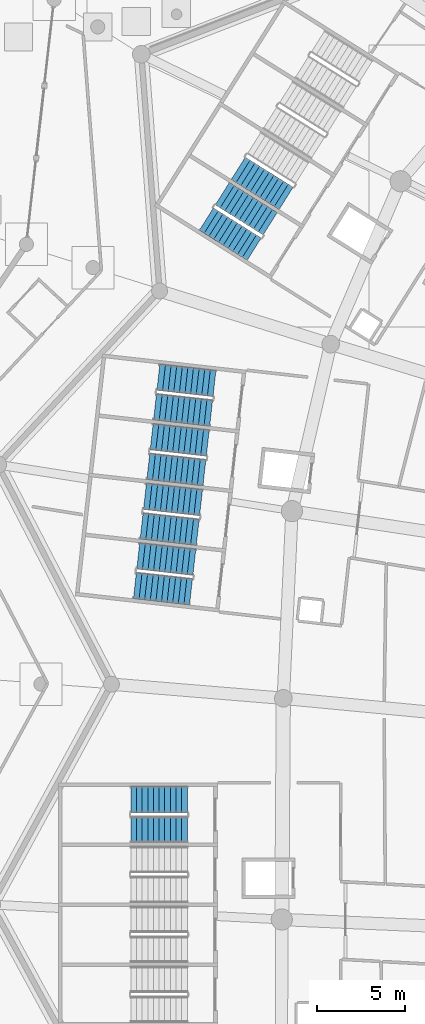
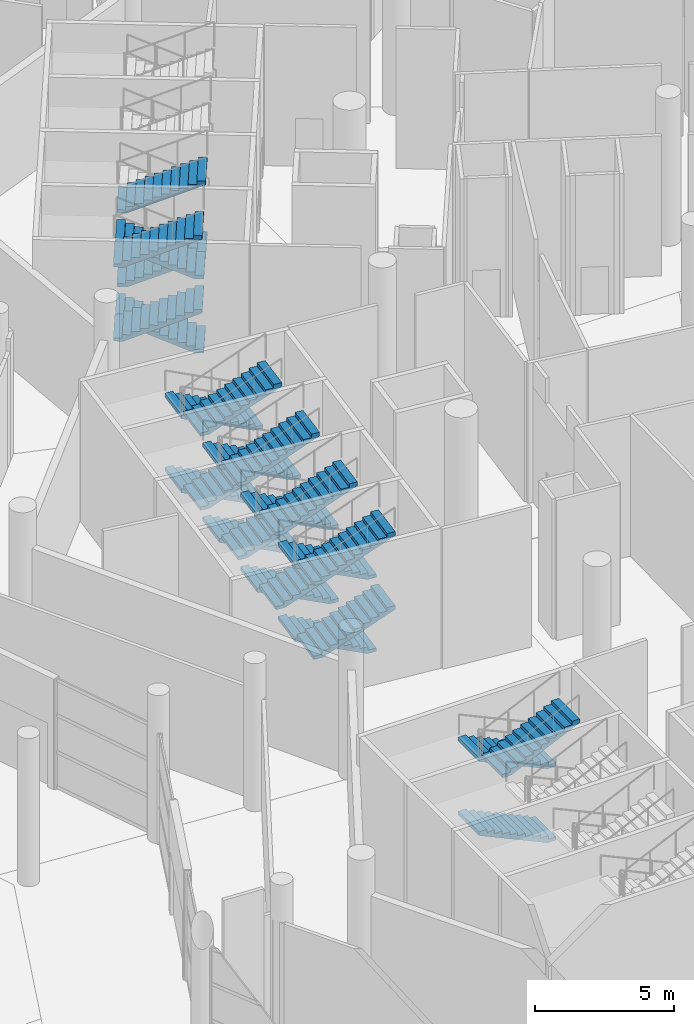
# One storey, part 172 of 255: 25 stair flights, 7 elements without a shape of their own.
"""IFC4 building model written with IfcOpenShell, lengths in metres."""

from ifc_helpers import new_model, si_unit, direction, frame, origin, place, context, subcontext, project, spatial, polyline, outline, extrude, material, type_object, element, aggregate, save


model = new_model("IFC4")

# Units and contexts
model_context = context("Model", 3, precision=1e-05, world=origin(), true_north=direction((0.0, 1.0)))
body_context = subcontext(model_context, "Body", "Model", "MODEL_VIEW")
ifc_project = project(units=[si_unit("LENGTHUNIT", "METRE"), si_unit("AREAUNIT", "SQUARE_METRE"), si_unit("VOLUMEUNIT", "CUBIC_METRE"), si_unit("PLANEANGLEUNIT", "RADIAN"), si_unit("MASSUNIT", "GRAM", prefix="KILO")], contexts=[model_context])

# Site, building, storey
site_placement = place(None, origin())
site = spatial("IfcSite", under=ifc_project, at=site_placement, CompositionType="ELEMENT")
building_placement = place(site_placement, origin())
building = spatial("IfcBuilding", under=site, at=building_placement, Name="Meseta Stadium", CompositionType="ELEMENT")
storey_placement = place(building_placement, origin())
storey = spatial("IfcBuildingStorey", under=building, at=storey_placement, Name="L00", CompositionType="ELEMENT", Elevation=0.0)

# Stair, stair flights
ifc_material_1 = material(Name="Concrete C40/50", Category="concrete")
stair_type = type_object("IfcStairType", Name="Exit stair 4 flights 148 mm risers", PredefinedType="HALF_TURN_STAIR", material=ifc_material_1)
stair_1_placement = place(storey_placement, origin())
stair_1 = element("IfcStair", 1, at=stair_1_placement, inside=storey, type_object=stair_type, Name="ST55 L00", PredefinedType="HALF_TURN_STAIR")
ifc_material_2 = material(Name="Concrete C40/50", Category="concrete")
stair_flight_type = type_object("IfcStairFlightType", Name="Exit stair flight 148 mm risers, 4 per storey", PredefinedType="STRAIGHT", material=ifc_material_2)
stair_flight_1_placement = place(storey_placement, frame((-87.40673828125, 73.005859375, 1.625), z_axis=(0.0, 0.0, 1.0), x_axis=(0.846724200555, -0.532032074404, 0.0)))
stair_flight_1 = element("IfcStairFlight", 2, at=stair_flight_1_placement, type_object=stair_flight_type, Name="ST55 L00 flight 2", NumberOfRisers=11, NumberOfTreads=10, PredefinedType="STRAIGHT", RiserHeight=0.147727273, TreadLength=0.32, context=body_context, shape_type="SweptSolid", body=[
    extrude(outline(polyline([(0.0, 0.0), (0.0, 0.147705078125), (0.320068359375, 0.147705078125), (0.320068359375, 0.29541015625), (0.639892578125, 0.29541015625), (0.639892578125, 0.443115234375), (0.9599609375, 0.443115234375), (0.9599609375, 0.5908203125), (1.280029296875, 0.5908203125), (1.280029296875, 0.738525390625), (1.60009765625, 0.738525390625), (1.60009765625, 0.886474609375), (1.919921875, 0.886474609375), (1.919921875, 1.0341796875), (2.239990234375, 1.0341796875), (2.239990234375, 1.181884765625), (2.56005859375, 1.181884765625), (2.56005859375, 1.32958984375), (2.8798828125, 1.32958984375), (2.8798828125, 1.477294921875), (3.199951171875, 1.477294921875), (3.199951171875, 1.312255859375), (0.357666015625, 0.0), (0.0, 0.0)])), frame((0.0, 0.75, 0.0), z_axis=(0.0, -1.0, 0.0), x_axis=(1.0, 0.0, 0.0)), (0.0, 0.0, 1.0), 1.5),
])
stair_flight_2_placement = place(storey_placement, frame((-87.40673828125, 73.005859375, 4.875), z_axis=(0.0, 0.0, 1.0), x_axis=(0.846724200555, -0.532032074404, 0.0)))
stair_flight_2 = element("IfcStairFlight", 3, at=stair_flight_2_placement, type_object=stair_flight_type, Name="ST55 L00 flight 4", NumberOfRisers=11, NumberOfTreads=10, PredefinedType="STRAIGHT", RiserHeight=0.147727273, TreadLength=0.32, context=body_context, shape_type="SweptSolid", body=[
    extrude(outline(polyline([(0.0, 0.0), (0.0, 0.147705078125), (0.320068359375, 0.147705078125), (0.320068359375, 0.29541015625), (0.639892578125, 0.29541015625), (0.639892578125, 0.443115234375), (0.9599609375, 0.443115234375), (0.9599609375, 0.5908203125), (1.280029296875, 0.5908203125), (1.280029296875, 0.738525390625), (1.60009765625, 0.738525390625), (1.60009765625, 0.886474609375), (1.919921875, 0.886474609375), (1.919921875, 1.0341796875), (2.239990234375, 1.0341796875), (2.239990234375, 1.181884765625), (2.56005859375, 1.181884765625), (2.56005859375, 1.32958984375), (2.8798828125, 1.32958984375), (2.8798828125, 1.477294921875), (3.199951171875, 1.477294921875), (3.199951171875, 1.312255859375), (0.357666015625, 0.0), (0.0, 0.0)])), frame((0.0, 0.75, 0.0), z_axis=(0.0, -1.0, 0.0), x_axis=(1.0, 0.0, 0.0)), (0.0, 0.0, 1.0), 1.5),
])
aggregate(stair_1, [stair_flight_1, stair_flight_2])

stair_2_placement = place(storey_placement, origin())
stair_2 = element("IfcStair", 4, at=stair_2_placement, inside=storey, type_object=stair_type, Name="ST56 L00", PredefinedType="HALF_TURN_STAIR")
stair_flight_3_placement = place(storey_placement, frame((-85.6015625, 69.864013671875, 0.0), z_axis=(0.0, 0.0, 1.0), x_axis=(-0.846724200555, 0.532032074404, 0.0)))
stair_flight_3 = element("IfcStairFlight", 5, at=stair_flight_3_placement, type_object=stair_flight_type, Name="ST56 L00 flight 1", NumberOfRisers=11, NumberOfTreads=10, PredefinedType="STRAIGHT", RiserHeight=0.147727273, TreadLength=0.32, context=body_context, shape_type="SweptSolid", body=[
    extrude(outline(polyline([(0.0, 0.0), (0.0, 0.147705078125), (0.320068359375, 0.147705078125), (0.320068359375, 0.29541015625), (0.639892578125, 0.29541015625), (0.639892578125, 0.443115234375), (0.9599609375, 0.443115234375), (0.9599609375, 0.5908203125), (1.280029296875, 0.5908203125), (1.280029296875, 0.738525390625), (1.60009765625, 0.738525390625), (1.60009765625, 0.886474609375), (1.919921875, 0.886474609375), (1.919921875, 1.0341796875), (2.239990234375, 1.0341796875), (2.239990234375, 1.181884765625), (2.56005859375, 1.181884765625), (2.56005859375, 1.32958984375), (2.8798828125, 1.32958984375), (2.8798828125, 1.477294921875), (3.199951171875, 1.477294921875), (3.199951171875, 1.312255859375), (0.357666015625, 0.0), (0.0, 0.0)])), frame((0.0, 0.75, 0.0), z_axis=(0.0, -1.0, 0.0), x_axis=(1.0, 0.0, 0.0)), (0.0, 0.0, 1.0), 1.5),
])
stair_flight_4_placement = place(storey_placement, frame((-89.215576171875, 70.127197265625, 1.625), z_axis=(0.0, 0.0, 1.0), x_axis=(0.846724200555, -0.532032074404, 0.0)))
stair_flight_4 = element("IfcStairFlight", 6, at=stair_flight_4_placement, type_object=stair_flight_type, Name="ST56 L00 flight 2", NumberOfRisers=11, NumberOfTreads=10, PredefinedType="STRAIGHT", RiserHeight=0.147727273, TreadLength=0.32, context=body_context, shape_type="SweptSolid", body=[
    extrude(outline(polyline([(0.0, 0.0), (0.0, 0.147705078125), (0.320068359375, 0.147705078125), (0.320068359375, 0.29541015625), (0.639892578125, 0.29541015625), (0.639892578125, 0.443115234375), (0.9599609375, 0.443115234375), (0.9599609375, 0.5908203125), (1.280029296875, 0.5908203125), (1.280029296875, 0.738525390625), (1.60009765625, 0.738525390625), (1.60009765625, 0.886474609375), (1.919921875, 0.886474609375), (1.919921875, 1.0341796875), (2.239990234375, 1.0341796875), (2.239990234375, 1.181884765625), (2.56005859375, 1.181884765625), (2.56005859375, 1.32958984375), (2.8798828125, 1.32958984375), (2.8798828125, 1.477294921875), (3.199951171875, 1.477294921875), (3.199951171875, 1.312255859375), (0.357666015625, 0.0), (0.0, 0.0)])), frame((0.0, 0.75, 0.0), z_axis=(0.0, -1.0, 0.0), x_axis=(1.0, 0.0, 0.0)), (0.0, 0.0, 1.0), 1.5),
])
stair_flight_5_placement = place(storey_placement, frame((-85.6015625, 69.864013671875, 3.25), z_axis=(0.0, 0.0, 1.0), x_axis=(-0.846724200555, 0.532032074404, 0.0)))
stair_flight_5 = element("IfcStairFlight", 7, at=stair_flight_5_placement, type_object=stair_flight_type, Name="ST56 L00 flight 3", NumberOfRisers=11, NumberOfTreads=10, PredefinedType="STRAIGHT", RiserHeight=0.147727273, TreadLength=0.32, context=body_context, shape_type="SweptSolid", body=[
    extrude(outline(polyline([(0.0, 0.0), (0.0, 0.147705078125), (0.320068359375, 0.147705078125), (0.320068359375, 0.29541015625), (0.639892578125, 0.29541015625), (0.639892578125, 0.443115234375), (0.9599609375, 0.443115234375), (0.9599609375, 0.5908203125), (1.280029296875, 0.5908203125), (1.280029296875, 0.738525390625), (1.60009765625, 0.738525390625), (1.60009765625, 0.886474609375), (1.919921875, 0.886474609375), (1.919921875, 1.0341796875), (2.239990234375, 1.0341796875), (2.239990234375, 1.181884765625), (2.56005859375, 1.181884765625), (2.56005859375, 1.32958984375), (2.8798828125, 1.32958984375), (2.8798828125, 1.477294921875), (3.199951171875, 1.477294921875), (3.199951171875, 1.312255859375), (0.357666015625, 0.0), (0.0, 0.0)])), frame((0.0, 0.75, 0.0), z_axis=(0.0, -1.0, 0.0), x_axis=(1.0, 0.0, 0.0)), (0.0, 0.0, 1.0), 1.5),
])
stair_flight_6_placement = place(storey_placement, frame((-89.215576171875, 70.127197265625, 4.875), z_axis=(0.0, 0.0, 1.0), x_axis=(0.846724200555, -0.532032074404, 0.0)))
stair_flight_6 = element("IfcStairFlight", 8, at=stair_flight_6_placement, type_object=stair_flight_type, Name="ST56 L00 flight 4", NumberOfRisers=11, NumberOfTreads=10, PredefinedType="STRAIGHT", RiserHeight=0.147727273, TreadLength=0.32, context=body_context, shape_type="SweptSolid", body=[
    extrude(outline(polyline([(0.0, 0.0), (0.0, 0.147705078125), (0.320068359375, 0.147705078125), (0.320068359375, 0.29541015625), (0.639892578125, 0.29541015625), (0.639892578125, 0.443115234375), (0.9599609375, 0.443115234375), (0.9599609375, 0.5908203125), (1.280029296875, 0.5908203125), (1.280029296875, 0.738525390625), (1.60009765625, 0.738525390625), (1.60009765625, 0.886474609375), (1.919921875, 0.886474609375), (1.919921875, 1.0341796875), (2.239990234375, 1.0341796875), (2.239990234375, 1.181884765625), (2.56005859375, 1.181884765625), (2.56005859375, 1.32958984375), (2.8798828125, 1.32958984375), (2.8798828125, 1.477294921875), (3.199951171875, 1.477294921875), (3.199951171875, 1.312255859375), (0.357666015625, 0.0), (0.0, 0.0)])), frame((0.0, 0.75, 0.0), z_axis=(0.0, -1.0, 0.0), x_axis=(1.0, 0.0, 0.0)), (0.0, 0.0, 1.0), 1.5),
])
aggregate(stair_2, [stair_flight_3, stair_flight_4, stair_flight_5, stair_flight_6])

stair_3_placement = place(storey_placement, origin())
stair_3 = element("IfcStair", 9, at=stair_3_placement, inside=storey, type_object=stair_type, Name="ST57 L00", PredefinedType="HALF_TURN_STAIR")
stair_flight_7_placement = place(storey_placement, frame((-88.759033203125, 60.805419921875, 0.0), z_axis=(0.0, 0.0, 1.0), x_axis=(-0.993712210731, 0.11196446867, 0.0)))
stair_flight_7 = element("IfcStairFlight", 10, at=stair_flight_7_placement, type_object=stair_flight_type, Name="ST57 L00 flight 1", NumberOfRisers=11, NumberOfTreads=10, PredefinedType="STRAIGHT", RiserHeight=0.147727273, TreadLength=0.32, context=body_context, shape_type="SweptSolid", body=[
    extrude(outline(polyline([(0.0, 0.0), (0.0, 0.147705078125), (0.320068359375, 0.147705078125), (0.320068359375, 0.29541015625), (0.639892578125, 0.29541015625), (0.639892578125, 0.443115234375), (0.9599609375, 0.443115234375), (0.9599609375, 0.5908203125), (1.280029296875, 0.5908203125), (1.280029296875, 0.738525390625), (1.60009765625, 0.738525390625), (1.60009765625, 0.886474609375), (1.919921875, 0.886474609375), (1.919921875, 1.0341796875), (2.239990234375, 1.0341796875), (2.239990234375, 1.181884765625), (2.56005859375, 1.181884765625), (2.56005859375, 1.32958984375), (2.8798828125, 1.32958984375), (2.8798828125, 1.477294921875), (3.199951171875, 1.477294921875), (3.199951171875, 1.312255859375), (0.357666015625, 0.0), (0.0, 0.0)])), frame((0.0, 0.75, 0.0), z_axis=(0.0, -1.0, 0.0), x_axis=(1.0, 0.0, 0.0)), (0.0, 0.0, 1.0), 1.5),
])
stair_flight_8_placement = place(storey_placement, frame((-92.129150390625, 59.474365234375, 1.625), z_axis=(0.0, 0.0, 1.0), x_axis=(0.993712210731, -0.11196446867, 0.0)))
stair_flight_8 = element("IfcStairFlight", 11, at=stair_flight_8_placement, type_object=stair_flight_type, Name="ST57 L00 flight 2", NumberOfRisers=11, NumberOfTreads=10, PredefinedType="STRAIGHT", RiserHeight=0.147727273, TreadLength=0.32, context=body_context, shape_type="SweptSolid", body=[
    extrude(outline(polyline([(0.0, 0.0), (0.0, 0.147705078125), (0.320068359375, 0.147705078125), (0.320068359375, 0.29541015625), (0.639892578125, 0.29541015625), (0.639892578125, 0.443115234375), (0.9599609375, 0.443115234375), (0.9599609375, 0.5908203125), (1.280029296875, 0.5908203125), (1.280029296875, 0.738525390625), (1.60009765625, 0.738525390625), (1.60009765625, 0.886474609375), (1.919921875, 0.886474609375), (1.919921875, 1.0341796875), (2.239990234375, 1.0341796875), (2.239990234375, 1.181884765625), (2.56005859375, 1.181884765625), (2.56005859375, 1.32958984375), (2.8798828125, 1.32958984375), (2.8798828125, 1.477294921875), (3.199951171875, 1.477294921875), (3.199951171875, 1.312255859375), (0.357666015625, 0.0), (0.0, 0.0)])), frame((0.0, 0.75, 0.0), z_axis=(0.0, -1.0, 0.0), x_axis=(1.0, 0.0, 0.0)), (0.0, 0.0, 1.0), 1.5),
])
stair_flight_9_placement = place(storey_placement, frame((-88.759033203125, 60.805419921875, 3.25), z_axis=(0.0, 0.0, 1.0), x_axis=(-0.993712210731, 0.11196446867, 0.0)))
stair_flight_9 = element("IfcStairFlight", 12, at=stair_flight_9_placement, type_object=stair_flight_type, Name="ST57 L00 flight 3", NumberOfRisers=11, NumberOfTreads=10, PredefinedType="STRAIGHT", RiserHeight=0.147727273, TreadLength=0.32, context=body_context, shape_type="SweptSolid", body=[
    extrude(outline(polyline([(0.0, 0.0), (0.0, 0.147705078125), (0.320068359375, 0.147705078125), (0.320068359375, 0.29541015625), (0.639892578125, 0.29541015625), (0.639892578125, 0.443115234375), (0.9599609375, 0.443115234375), (0.9599609375, 0.5908203125), (1.280029296875, 0.5908203125), (1.280029296875, 0.738525390625), (1.60009765625, 0.738525390625), (1.60009765625, 0.886474609375), (1.919921875, 0.886474609375), (1.919921875, 1.0341796875), (2.239990234375, 1.0341796875), (2.239990234375, 1.181884765625), (2.56005859375, 1.181884765625), (2.56005859375, 1.32958984375), (2.8798828125, 1.32958984375), (2.8798828125, 1.477294921875), (3.199951171875, 1.477294921875), (3.199951171875, 1.312255859375), (0.357666015625, 0.0), (0.0, 0.0)])), frame((0.0, 0.75, 0.0), z_axis=(0.0, -1.0, 0.0), x_axis=(1.0, 0.0, 0.0)), (0.0, 0.0, 1.0), 1.5),
])
stair_flight_10_placement = place(storey_placement, frame((-92.129150390625, 59.474365234375, 4.875), z_axis=(0.0, 0.0, 1.0), x_axis=(0.993712210731, -0.11196446867, 0.0)))
stair_flight_10 = element("IfcStairFlight", 13, at=stair_flight_10_placement, type_object=stair_flight_type, Name="ST57 L00 flight 4", NumberOfRisers=11, NumberOfTreads=10, PredefinedType="STRAIGHT", RiserHeight=0.147727273, TreadLength=0.32, context=body_context, shape_type="SweptSolid", body=[
    extrude(outline(polyline([(0.0, 0.0), (0.0, 0.147705078125), (0.320068359375, 0.147705078125), (0.320068359375, 0.29541015625), (0.639892578125, 0.29541015625), (0.639892578125, 0.443115234375), (0.9599609375, 0.443115234375), (0.9599609375, 0.5908203125), (1.280029296875, 0.5908203125), (1.280029296875, 0.738525390625), (1.60009765625, 0.738525390625), (1.60009765625, 0.886474609375), (1.919921875, 0.886474609375), (1.919921875, 1.0341796875), (2.239990234375, 1.0341796875), (2.239990234375, 1.181884765625), (2.56005859375, 1.181884765625), (2.56005859375, 1.32958984375), (2.8798828125, 1.32958984375), (2.8798828125, 1.477294921875), (3.199951171875, 1.477294921875), (3.199951171875, 1.312255859375), (0.357666015625, 0.0), (0.0, 0.0)])), frame((0.0, 0.75, 0.0), z_axis=(0.0, -1.0, 0.0), x_axis=(1.0, 0.0, 0.0)), (0.0, 0.0, 1.0), 1.5),
])
aggregate(stair_3, [stair_flight_7, stair_flight_8, stair_flight_9, stair_flight_10])

stair_4_placement = place(storey_placement, origin())
stair_4 = element("IfcStair", 14, at=stair_4_placement, inside=storey, type_object=stair_type, Name="ST58 L00", PredefinedType="HALF_TURN_STAIR")
stair_flight_11_placement = place(storey_placement, frame((-89.1396484375, 57.4267578125, 0.0), z_axis=(0.0, 0.0, 1.0), x_axis=(-0.993712210731, 0.11196446867, 0.0)))
stair_flight_11 = element("IfcStairFlight", 15, at=stair_flight_11_placement, type_object=stair_flight_type, Name="ST58 L00 flight 1", NumberOfRisers=11, NumberOfTreads=10, PredefinedType="STRAIGHT", RiserHeight=0.147727273, TreadLength=0.32, context=body_context, shape_type="SweptSolid", body=[
    extrude(outline(polyline([(0.0, 0.0), (0.0, 0.147705078125), (0.320068359375, 0.147705078125), (0.320068359375, 0.29541015625), (0.639892578125, 0.29541015625), (0.639892578125, 0.443115234375), (0.9599609375, 0.443115234375), (0.9599609375, 0.5908203125), (1.280029296875, 0.5908203125), (1.280029296875, 0.738525390625), (1.60009765625, 0.738525390625), (1.60009765625, 0.886474609375), (1.919921875, 0.886474609375), (1.919921875, 1.0341796875), (2.239990234375, 1.0341796875), (2.239990234375, 1.181884765625), (2.56005859375, 1.181884765625), (2.56005859375, 1.32958984375), (2.8798828125, 1.32958984375), (2.8798828125, 1.477294921875), (3.199951171875, 1.477294921875), (3.199951171875, 1.312255859375), (0.357666015625, 0.0), (0.0, 0.0)])), frame((0.0, 0.75, 0.0), z_axis=(0.0, -1.0, 0.0), x_axis=(1.0, 0.0, 0.0)), (0.0, 0.0, 1.0), 1.5),
])
stair_flight_12_placement = place(storey_placement, frame((-92.510009765625, 56.095703125, 1.625), z_axis=(0.0, 0.0, 1.0), x_axis=(0.993712210731, -0.11196446867, 0.0)))
stair_flight_12 = element("IfcStairFlight", 16, at=stair_flight_12_placement, type_object=stair_flight_type, Name="ST58 L00 flight 2", NumberOfRisers=11, NumberOfTreads=10, PredefinedType="STRAIGHT", RiserHeight=0.147727273, TreadLength=0.32, context=body_context, shape_type="SweptSolid", body=[
    extrude(outline(polyline([(0.0, 0.0), (0.0, 0.147705078125), (0.320068359375, 0.147705078125), (0.320068359375, 0.29541015625), (0.639892578125, 0.29541015625), (0.639892578125, 0.443115234375), (0.9599609375, 0.443115234375), (0.9599609375, 0.5908203125), (1.280029296875, 0.5908203125), (1.280029296875, 0.738525390625), (1.60009765625, 0.738525390625), (1.60009765625, 0.886474609375), (1.919921875, 0.886474609375), (1.919921875, 1.0341796875), (2.239990234375, 1.0341796875), (2.239990234375, 1.181884765625), (2.56005859375, 1.181884765625), (2.56005859375, 1.32958984375), (2.8798828125, 1.32958984375), (2.8798828125, 1.477294921875), (3.199951171875, 1.477294921875), (3.199951171875, 1.312255859375), (0.357666015625, 0.0), (0.0, 0.0)])), frame((0.0, 0.75, 0.0), z_axis=(0.0, -1.0, 0.0), x_axis=(1.0, 0.0, 0.0)), (0.0, 0.0, 1.0), 1.5),
])
stair_flight_13_placement = place(storey_placement, frame((-89.1396484375, 57.4267578125, 3.25), z_axis=(0.0, 0.0, 1.0), x_axis=(-0.993712210731, 0.11196446867, 0.0)))
stair_flight_13 = element("IfcStairFlight", 17, at=stair_flight_13_placement, type_object=stair_flight_type, Name="ST58 L00 flight 3", NumberOfRisers=11, NumberOfTreads=10, PredefinedType="STRAIGHT", RiserHeight=0.147727273, TreadLength=0.32, context=body_context, shape_type="SweptSolid", body=[
    extrude(outline(polyline([(0.0, 0.0), (0.0, 0.147705078125), (0.320068359375, 0.147705078125), (0.320068359375, 0.29541015625), (0.639892578125, 0.29541015625), (0.639892578125, 0.443115234375), (0.9599609375, 0.443115234375), (0.9599609375, 0.5908203125), (1.280029296875, 0.5908203125), (1.280029296875, 0.738525390625), (1.60009765625, 0.738525390625), (1.60009765625, 0.886474609375), (1.919921875, 0.886474609375), (1.919921875, 1.0341796875), (2.239990234375, 1.0341796875), (2.239990234375, 1.181884765625), (2.56005859375, 1.181884765625), (2.56005859375, 1.32958984375), (2.8798828125, 1.32958984375), (2.8798828125, 1.477294921875), (3.199951171875, 1.477294921875), (3.199951171875, 1.312255859375), (0.357666015625, 0.0), (0.0, 0.0)])), frame((0.0, 0.75, 0.0), z_axis=(0.0, -1.0, 0.0), x_axis=(1.0, 0.0, 0.0)), (0.0, 0.0, 1.0), 1.5),
])
stair_flight_14_placement = place(storey_placement, frame((-92.510009765625, 56.095703125, 4.875), z_axis=(0.0, 0.0, 1.0), x_axis=(0.993712210731, -0.11196446867, 0.0)))
stair_flight_14 = element("IfcStairFlight", 18, at=stair_flight_14_placement, type_object=stair_flight_type, Name="ST58 L00 flight 4", NumberOfRisers=11, NumberOfTreads=10, PredefinedType="STRAIGHT", RiserHeight=0.147727273, TreadLength=0.32, context=body_context, shape_type="SweptSolid", body=[
    extrude(outline(polyline([(0.0, 0.0), (0.0, 0.147705078125), (0.320068359375, 0.147705078125), (0.320068359375, 0.29541015625), (0.639892578125, 0.29541015625), (0.639892578125, 0.443115234375), (0.9599609375, 0.443115234375), (0.9599609375, 0.5908203125), (1.280029296875, 0.5908203125), (1.280029296875, 0.738525390625), (1.60009765625, 0.738525390625), (1.60009765625, 0.886474609375), (1.919921875, 0.886474609375), (1.919921875, 1.0341796875), (2.239990234375, 1.0341796875), (2.239990234375, 1.181884765625), (2.56005859375, 1.181884765625), (2.56005859375, 1.32958984375), (2.8798828125, 1.32958984375), (2.8798828125, 1.477294921875), (3.199951171875, 1.477294921875), (3.199951171875, 1.312255859375), (0.357666015625, 0.0), (0.0, 0.0)])), frame((0.0, 0.75, 0.0), z_axis=(0.0, -1.0, 0.0), x_axis=(1.0, 0.0, 0.0)), (0.0, 0.0, 1.0), 1.5),
])
aggregate(stair_4, [stair_flight_11, stair_flight_12, stair_flight_13, stair_flight_14])

stair_5_placement = place(storey_placement, origin())
stair_5 = element("IfcStair", 19, at=stair_5_placement, inside=storey, type_object=stair_type, Name="ST59 L00", PredefinedType="HALF_TURN_STAIR")
stair_flight_15_placement = place(storey_placement, frame((-89.5205078125, 54.048095703125, 0.0), z_axis=(0.0, 0.0, 1.0), x_axis=(-0.993712210731, 0.11196446867, 0.0)))
stair_flight_15 = element("IfcStairFlight", 20, at=stair_flight_15_placement, type_object=stair_flight_type, Name="ST59 L00 flight 1", NumberOfRisers=11, NumberOfTreads=10, PredefinedType="STRAIGHT", RiserHeight=0.147727273, TreadLength=0.32, context=body_context, shape_type="SweptSolid", body=[
    extrude(outline(polyline([(0.0, 0.0), (0.0, 0.147705078125), (0.320068359375, 0.147705078125), (0.320068359375, 0.29541015625), (0.639892578125, 0.29541015625), (0.639892578125, 0.443115234375), (0.9599609375, 0.443115234375), (0.9599609375, 0.5908203125), (1.280029296875, 0.5908203125), (1.280029296875, 0.738525390625), (1.60009765625, 0.738525390625), (1.60009765625, 0.886474609375), (1.919921875, 0.886474609375), (1.919921875, 1.0341796875), (2.239990234375, 1.0341796875), (2.239990234375, 1.181884765625), (2.56005859375, 1.181884765625), (2.56005859375, 1.32958984375), (2.8798828125, 1.32958984375), (2.8798828125, 1.477294921875), (3.199951171875, 1.477294921875), (3.199951171875, 1.312255859375), (0.357666015625, 0.0), (0.0, 0.0)])), frame((0.0, 0.75, 0.0), z_axis=(0.0, -1.0, 0.0), x_axis=(1.0, 0.0, 0.0)), (0.0, 0.0, 1.0), 1.5),
])
stair_flight_16_placement = place(storey_placement, frame((-92.890625, 52.71728515625, 1.625), z_axis=(0.0, 0.0, 1.0), x_axis=(0.993712210731, -0.11196446867, 0.0)))
stair_flight_16 = element("IfcStairFlight", 21, at=stair_flight_16_placement, type_object=stair_flight_type, Name="ST59 L00 flight 2", NumberOfRisers=11, NumberOfTreads=10, PredefinedType="STRAIGHT", RiserHeight=0.147727273, TreadLength=0.32, context=body_context, shape_type="SweptSolid", body=[
    extrude(outline(polyline([(0.0, 0.0), (0.0, 0.147705078125), (0.320068359375, 0.147705078125), (0.320068359375, 0.29541015625), (0.639892578125, 0.29541015625), (0.639892578125, 0.443115234375), (0.9599609375, 0.443115234375), (0.9599609375, 0.5908203125), (1.280029296875, 0.5908203125), (1.280029296875, 0.738525390625), (1.60009765625, 0.738525390625), (1.60009765625, 0.886474609375), (1.919921875, 0.886474609375), (1.919921875, 1.0341796875), (2.239990234375, 1.0341796875), (2.239990234375, 1.181884765625), (2.56005859375, 1.181884765625), (2.56005859375, 1.32958984375), (2.8798828125, 1.32958984375), (2.8798828125, 1.477294921875), (3.199951171875, 1.477294921875), (3.199951171875, 1.312255859375), (0.357666015625, 0.0), (0.0, 0.0)])), frame((0.0, 0.75, 0.0), z_axis=(0.0, -1.0, 0.0), x_axis=(1.0, 0.0, 0.0)), (0.0, 0.0, 1.0), 1.5),
])
stair_flight_17_placement = place(storey_placement, frame((-89.5205078125, 54.048095703125, 3.25), z_axis=(0.0, 0.0, 1.0), x_axis=(-0.993712210731, 0.11196446867, 0.0)))
stair_flight_17 = element("IfcStairFlight", 22, at=stair_flight_17_placement, type_object=stair_flight_type, Name="ST59 L00 flight 3", NumberOfRisers=11, NumberOfTreads=10, PredefinedType="STRAIGHT", RiserHeight=0.147727273, TreadLength=0.32, context=body_context, shape_type="SweptSolid", body=[
    extrude(outline(polyline([(0.0, 0.0), (0.0, 0.147705078125), (0.320068359375, 0.147705078125), (0.320068359375, 0.29541015625), (0.639892578125, 0.29541015625), (0.639892578125, 0.443115234375), (0.9599609375, 0.443115234375), (0.9599609375, 0.5908203125), (1.280029296875, 0.5908203125), (1.280029296875, 0.738525390625), (1.60009765625, 0.738525390625), (1.60009765625, 0.886474609375), (1.919921875, 0.886474609375), (1.919921875, 1.0341796875), (2.239990234375, 1.0341796875), (2.239990234375, 1.181884765625), (2.56005859375, 1.181884765625), (2.56005859375, 1.32958984375), (2.8798828125, 1.32958984375), (2.8798828125, 1.477294921875), (3.199951171875, 1.477294921875), (3.199951171875, 1.312255859375), (0.357666015625, 0.0), (0.0, 0.0)])), frame((0.0, 0.75, 0.0), z_axis=(0.0, -1.0, 0.0), x_axis=(1.0, 0.0, 0.0)), (0.0, 0.0, 1.0), 1.5),
])
stair_flight_18_placement = place(storey_placement, frame((-92.890625, 52.71728515625, 4.875), z_axis=(0.0, 0.0, 1.0), x_axis=(0.993712210731, -0.11196446867, 0.0)))
stair_flight_18 = element("IfcStairFlight", 23, at=stair_flight_18_placement, type_object=stair_flight_type, Name="ST59 L00 flight 4", NumberOfRisers=11, NumberOfTreads=10, PredefinedType="STRAIGHT", RiserHeight=0.147727273, TreadLength=0.32, context=body_context, shape_type="SweptSolid", body=[
    extrude(outline(polyline([(0.0, 0.0), (0.0, 0.147705078125), (0.320068359375, 0.147705078125), (0.320068359375, 0.29541015625), (0.639892578125, 0.29541015625), (0.639892578125, 0.443115234375), (0.9599609375, 0.443115234375), (0.9599609375, 0.5908203125), (1.280029296875, 0.5908203125), (1.280029296875, 0.738525390625), (1.60009765625, 0.738525390625), (1.60009765625, 0.886474609375), (1.919921875, 0.886474609375), (1.919921875, 1.0341796875), (2.239990234375, 1.0341796875), (2.239990234375, 1.181884765625), (2.56005859375, 1.181884765625), (2.56005859375, 1.32958984375), (2.8798828125, 1.32958984375), (2.8798828125, 1.477294921875), (3.199951171875, 1.477294921875), (3.199951171875, 1.312255859375), (0.357666015625, 0.0), (0.0, 0.0)])), frame((0.0, 0.75, 0.0), z_axis=(0.0, -1.0, 0.0), x_axis=(1.0, 0.0, 0.0)), (0.0, 0.0, 1.0), 1.5),
])
aggregate(stair_5, [stair_flight_15, stair_flight_16, stair_flight_17, stair_flight_18])

stair_6_placement = place(storey_placement, origin())
stair_6 = element("IfcStair", 24, at=stair_6_placement, inside=storey, type_object=stair_type, Name="ST60 L00", PredefinedType="HALF_TURN_STAIR")
stair_flight_19_placement = place(storey_placement, frame((-89.901123046875, 50.669677734375, 0.0), z_axis=(0.0, 0.0, 1.0), x_axis=(-0.993712210731, 0.11196446867, 0.0)))
stair_flight_19 = element("IfcStairFlight", 25, at=stair_flight_19_placement, type_object=stair_flight_type, Name="ST60 L00 flight 1", NumberOfRisers=11, NumberOfTreads=10, PredefinedType="STRAIGHT", RiserHeight=0.147727273, TreadLength=0.32, context=body_context, shape_type="SweptSolid", body=[
    extrude(outline(polyline([(0.0, 0.0), (0.0, 0.147705078125), (0.320068359375, 0.147705078125), (0.320068359375, 0.29541015625), (0.639892578125, 0.29541015625), (0.639892578125, 0.443115234375), (0.9599609375, 0.443115234375), (0.9599609375, 0.5908203125), (1.280029296875, 0.5908203125), (1.280029296875, 0.738525390625), (1.60009765625, 0.738525390625), (1.60009765625, 0.886474609375), (1.919921875, 0.886474609375), (1.919921875, 1.0341796875), (2.239990234375, 1.0341796875), (2.239990234375, 1.181884765625), (2.56005859375, 1.181884765625), (2.56005859375, 1.32958984375), (2.8798828125, 1.32958984375), (2.8798828125, 1.477294921875), (3.199951171875, 1.477294921875), (3.199951171875, 1.312255859375), (0.357666015625, 0.0), (0.0, 0.0)])), frame((0.0, 0.75, 0.0), z_axis=(0.0, -1.0, 0.0), x_axis=(1.0, 0.0, 0.0)), (0.0, 0.0, 1.0), 1.5),
])
stair_flight_20_placement = place(storey_placement, frame((-93.271240234375, 49.338623046875, 1.625), z_axis=(0.0, 0.0, 1.0), x_axis=(0.993712210731, -0.11196446867, 0.0)))
stair_flight_20 = element("IfcStairFlight", 26, at=stair_flight_20_placement, type_object=stair_flight_type, Name="ST60 L00 flight 2", NumberOfRisers=11, NumberOfTreads=10, PredefinedType="STRAIGHT", RiserHeight=0.147727273, TreadLength=0.32, context=body_context, shape_type="SweptSolid", body=[
    extrude(outline(polyline([(0.0, 0.0), (0.0, 0.147705078125), (0.320068359375, 0.147705078125), (0.320068359375, 0.29541015625), (0.639892578125, 0.29541015625), (0.639892578125, 0.443115234375), (0.9599609375, 0.443115234375), (0.9599609375, 0.5908203125), (1.280029296875, 0.5908203125), (1.280029296875, 0.738525390625), (1.60009765625, 0.738525390625), (1.60009765625, 0.886474609375), (1.919921875, 0.886474609375), (1.919921875, 1.0341796875), (2.239990234375, 1.0341796875), (2.239990234375, 1.181884765625), (2.56005859375, 1.181884765625), (2.56005859375, 1.32958984375), (2.8798828125, 1.32958984375), (2.8798828125, 1.477294921875), (3.199951171875, 1.477294921875), (3.199951171875, 1.312255859375), (0.357666015625, 0.0), (0.0, 0.0)])), frame((0.0, 0.75, 0.0), z_axis=(0.0, -1.0, 0.0), x_axis=(1.0, 0.0, 0.0)), (0.0, 0.0, 1.0), 1.5),
])
stair_flight_21_placement = place(storey_placement, frame((-89.901123046875, 50.669677734375, 3.25), z_axis=(0.0, 0.0, 1.0), x_axis=(-0.993712210731, 0.11196446867, 0.0)))
stair_flight_21 = element("IfcStairFlight", 27, at=stair_flight_21_placement, type_object=stair_flight_type, Name="ST60 L00 flight 3", NumberOfRisers=11, NumberOfTreads=10, PredefinedType="STRAIGHT", RiserHeight=0.147727273, TreadLength=0.32, context=body_context, shape_type="SweptSolid", body=[
    extrude(outline(polyline([(0.0, 0.0), (0.0, 0.147705078125), (0.320068359375, 0.147705078125), (0.320068359375, 0.29541015625), (0.639892578125, 0.29541015625), (0.639892578125, 0.443115234375), (0.9599609375, 0.443115234375), (0.9599609375, 0.5908203125), (1.280029296875, 0.5908203125), (1.280029296875, 0.738525390625), (1.60009765625, 0.738525390625), (1.60009765625, 0.886474609375), (1.919921875, 0.886474609375), (1.919921875, 1.0341796875), (2.239990234375, 1.0341796875), (2.239990234375, 1.181884765625), (2.56005859375, 1.181884765625), (2.56005859375, 1.32958984375), (2.8798828125, 1.32958984375), (2.8798828125, 1.477294921875), (3.199951171875, 1.477294921875), (3.199951171875, 1.312255859375), (0.357666015625, 0.0), (0.0, 0.0)])), frame((0.0, 0.75, 0.0), z_axis=(0.0, -1.0, 0.0), x_axis=(1.0, 0.0, 0.0)), (0.0, 0.0, 1.0), 1.5),
])
stair_flight_22_placement = place(storey_placement, frame((-93.271240234375, 49.338623046875, 4.875), z_axis=(0.0, 0.0, 1.0), x_axis=(0.993712210731, -0.11196446867, 0.0)))
stair_flight_22 = element("IfcStairFlight", 28, at=stair_flight_22_placement, type_object=stair_flight_type, Name="ST60 L00 flight 4", NumberOfRisers=11, NumberOfTreads=10, PredefinedType="STRAIGHT", RiserHeight=0.147727273, TreadLength=0.32, context=body_context, shape_type="SweptSolid", body=[
    extrude(outline(polyline([(0.0, 0.0), (0.0, 0.147705078125), (0.320068359375, 0.147705078125), (0.320068359375, 0.29541015625), (0.639892578125, 0.29541015625), (0.639892578125, 0.443115234375), (0.9599609375, 0.443115234375), (0.9599609375, 0.5908203125), (1.280029296875, 0.5908203125), (1.280029296875, 0.738525390625), (1.60009765625, 0.738525390625), (1.60009765625, 0.886474609375), (1.919921875, 0.886474609375), (1.919921875, 1.0341796875), (2.239990234375, 1.0341796875), (2.239990234375, 1.181884765625), (2.56005859375, 1.181884765625), (2.56005859375, 1.32958984375), (2.8798828125, 1.32958984375), (2.8798828125, 1.477294921875), (3.199951171875, 1.477294921875), (3.199951171875, 1.312255859375), (0.357666015625, 0.0), (0.0, 0.0)])), frame((0.0, 0.75, 0.0), z_axis=(0.0, -1.0, 0.0), x_axis=(1.0, 0.0, 0.0)), (0.0, 0.0, 1.0), 1.5),
])
aggregate(stair_6, [stair_flight_19, stair_flight_20, stair_flight_21, stair_flight_22])

stair_7_placement = place(storey_placement, origin())
stair_7 = element("IfcStair", 29, at=stair_7_placement, inside=storey, type_object=stair_type, Name="ST61 L00", PredefinedType="HALF_TURN_STAIR")
stair_flight_23_placement = place(storey_placement, frame((-90.300048828125, 37.199951171875, 0.0), z_axis=(0.0, 0.0, 1.0), x_axis=(-1.0, 0.0, 0.0)))
stair_flight_23 = element("IfcStairFlight", 30, at=stair_flight_23_placement, type_object=stair_flight_type, Name="ST61 L00 flight 1", NumberOfRisers=11, NumberOfTreads=10, PredefinedType="STRAIGHT", RiserHeight=0.147727273, TreadLength=0.32, context=body_context, shape_type="SweptSolid", body=[
    extrude(outline(polyline([(0.0, 0.0), (0.0, 0.147705078125), (0.320068359375, 0.147705078125), (0.320068359375, 0.29541015625), (0.639892578125, 0.29541015625), (0.639892578125, 0.443115234375), (0.9599609375, 0.443115234375), (0.9599609375, 0.5908203125), (1.280029296875, 0.5908203125), (1.280029296875, 0.738525390625), (1.60009765625, 0.738525390625), (1.60009765625, 0.886474609375), (1.919921875, 0.886474609375), (1.919921875, 1.0341796875), (2.239990234375, 1.0341796875), (2.239990234375, 1.181884765625), (2.56005859375, 1.181884765625), (2.56005859375, 1.32958984375), (2.8798828125, 1.32958984375), (2.8798828125, 1.477294921875), (3.199951171875, 1.477294921875), (3.199951171875, 1.312255859375), (0.357666015625, 0.0), (0.0, 0.0)])), frame((0.0, 0.75, 0.0), z_axis=(0.0, -1.0, 0.0), x_axis=(1.0, 0.0, 0.0)), (0.0, 0.0, 1.0), 1.5),
])
stair_flight_24_placement = place(storey_placement, frame((-90.300048828125, 37.199951171875, 3.25), z_axis=(0.0, 0.0, 1.0), x_axis=(-1.0, 0.0, 0.0)))
stair_flight_24 = element("IfcStairFlight", 31, at=stair_flight_24_placement, type_object=stair_flight_type, Name="ST61 L00 flight 3", NumberOfRisers=11, NumberOfTreads=10, PredefinedType="STRAIGHT", RiserHeight=0.147727273, TreadLength=0.32, context=body_context, shape_type="SweptSolid", body=[
    extrude(outline(polyline([(0.0, 0.0), (0.0, 0.147705078125), (0.320068359375, 0.147705078125), (0.320068359375, 0.29541015625), (0.639892578125, 0.29541015625), (0.639892578125, 0.443115234375), (0.9599609375, 0.443115234375), (0.9599609375, 0.5908203125), (1.280029296875, 0.5908203125), (1.280029296875, 0.738525390625), (1.60009765625, 0.738525390625), (1.60009765625, 0.886474609375), (1.919921875, 0.886474609375), (1.919921875, 1.0341796875), (2.239990234375, 1.0341796875), (2.239990234375, 1.181884765625), (2.56005859375, 1.181884765625), (2.56005859375, 1.32958984375), (2.8798828125, 1.32958984375), (2.8798828125, 1.477294921875), (3.199951171875, 1.477294921875), (3.199951171875, 1.312255859375), (0.357666015625, 0.0), (0.0, 0.0)])), frame((0.0, 0.75, 0.0), z_axis=(0.0, -1.0, 0.0), x_axis=(1.0, 0.0, 0.0)), (0.0, 0.0, 1.0), 1.5),
])
stair_flight_25_placement = place(storey_placement, frame((-93.5, 35.5, 4.875), z_axis=(0.0, 0.0, 1.0), x_axis=(1.0, 0.0, 0.0)))
stair_flight_25 = element("IfcStairFlight", 32, at=stair_flight_25_placement, type_object=stair_flight_type, Name="ST61 L00 flight 4", NumberOfRisers=11, NumberOfTreads=10, PredefinedType="STRAIGHT", RiserHeight=0.147727273, TreadLength=0.32, context=body_context, shape_type="SweptSolid", body=[
    extrude(outline(polyline([(0.0, 0.0), (0.0, 0.147705078125), (0.320068359375, 0.147705078125), (0.320068359375, 0.29541015625), (0.639892578125, 0.29541015625), (0.639892578125, 0.443115234375), (0.9599609375, 0.443115234375), (0.9599609375, 0.5908203125), (1.280029296875, 0.5908203125), (1.280029296875, 0.738525390625), (1.60009765625, 0.738525390625), (1.60009765625, 0.886474609375), (1.919921875, 0.886474609375), (1.919921875, 1.0341796875), (2.239990234375, 1.0341796875), (2.239990234375, 1.181884765625), (2.56005859375, 1.181884765625), (2.56005859375, 1.32958984375), (2.8798828125, 1.32958984375), (2.8798828125, 1.477294921875), (3.199951171875, 1.477294921875), (3.199951171875, 1.312255859375), (0.357666015625, 0.0), (0.0, 0.0)])), frame((0.0, 0.75, 0.0), z_axis=(0.0, -1.0, 0.0), x_axis=(1.0, 0.0, 0.0)), (0.0, 0.0, 1.0), 1.5),
])
aggregate(stair_7, [stair_flight_23, stair_flight_24, stair_flight_25])

save(model, "model.ifc")
